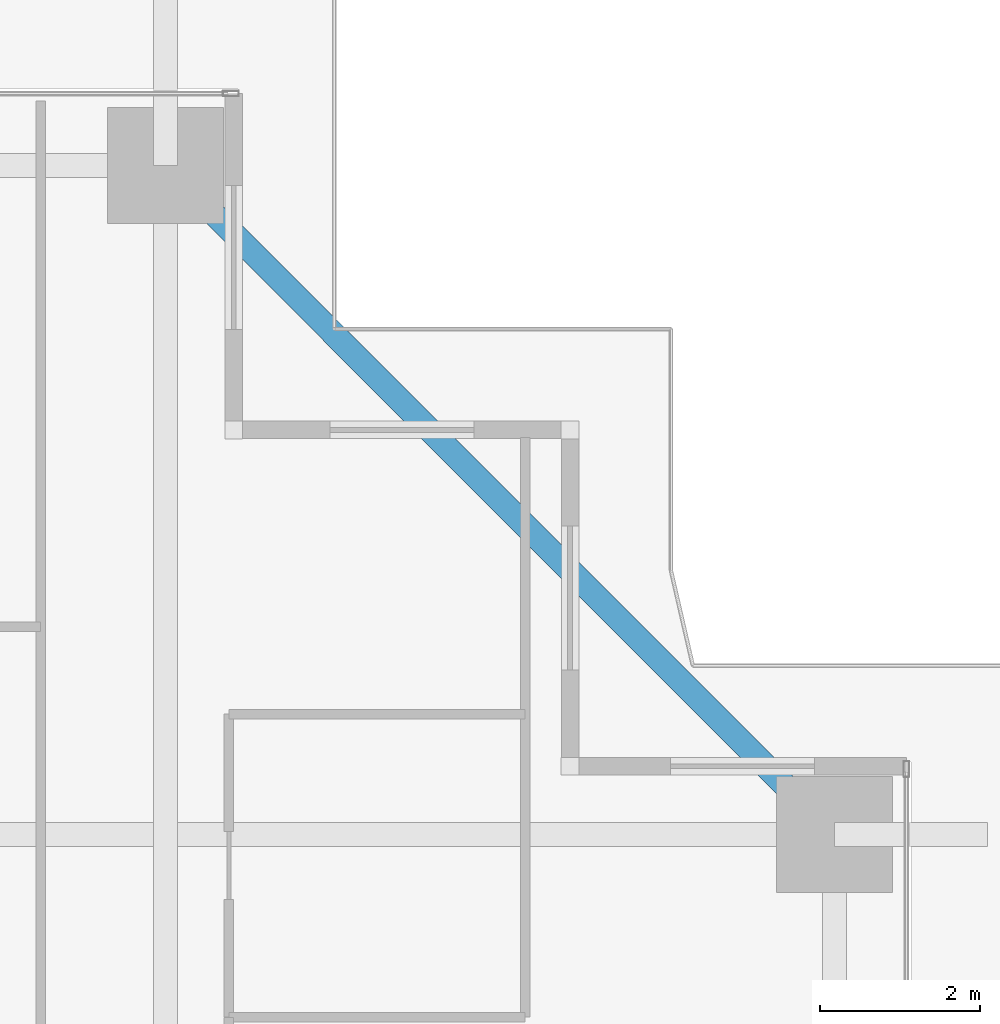
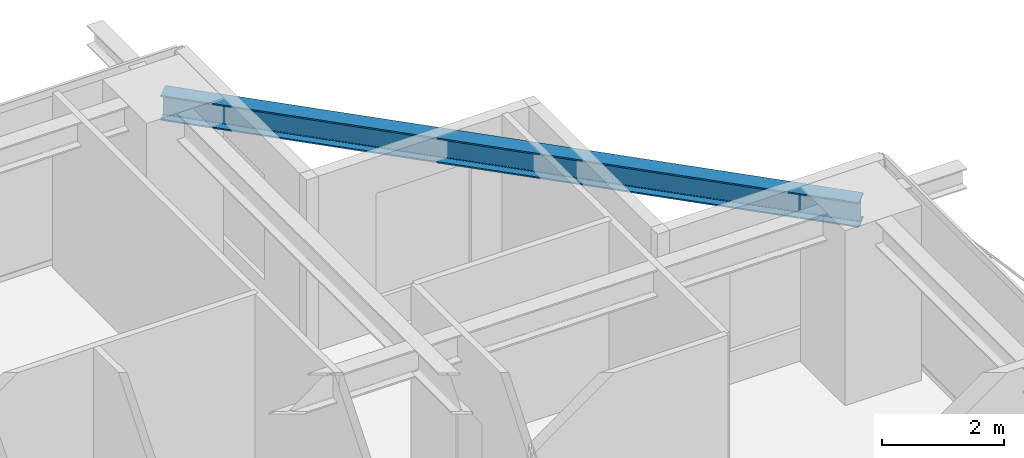
# One storey, part 24 of 38: 1 beam.
"""IFC4 building model written with IfcOpenShell, lengths in metres."""

from ifc_helpers import new_model, si_unit, direction, frame, origin, origin_2d, place, context, subcontext, project, spatial, i_section, extrude, source, transform, mapped, material, material_profile, profile_set, type_object, element, save


model = new_model("IFC4")

# Units and contexts
model_context = context("Model", 3, precision=1e-05, world=origin(), true_north=direction((0.0, 1.0)))
body_context = subcontext(model_context, "Body", "Model", "MODEL_VIEW")
ifc_project = project(units=[si_unit("LENGTHUNIT", "METRE"), si_unit("AREAUNIT", "SQUARE_METRE"), si_unit("VOLUMEUNIT", "CUBIC_METRE"), si_unit("PLANEANGLEUNIT", "RADIAN"), si_unit("MASSUNIT", "GRAM", prefix="KILO")], contexts=[model_context])

# Site, building, storey
site_placement = place(None, origin())
site = spatial("IfcSite", under=ifc_project, at=site_placement, CompositionType="ELEMENT")
building_placement = place(site_placement, origin())
building = spatial("IfcBuilding", under=site, at=building_placement, Name="Serunith Strait Residences", CompositionType="ELEMENT")
storey_placement = place(building_placement, frame((0.0, 0.0, 82.949951171875)))
storey = spatial("IfcBuildingStorey", under=building, at=storey_placement, Name="L20", CompositionType="ELEMENT", Elevation=82.949951171875)

# Beam
ifc_material = material(Name="Steel S355J2", Category="steel")
ifc_material_profile = material_profile(ifc_material, i_section(OverallWidth=0.300048828125, OverallDepth=0.5, WebThickness=0.014404296875, FlangeThickness=0.028076171875, FilletRadius=0.027099609375, at=origin_2d()), Name="HEB 500")
ifc_profile_set = profile_set([ifc_material_profile], Name="Steel S355J2")
beam_type = type_object("IfcBeamType", Name="BM-HEB500", PredefinedType="BEAM", material=ifc_profile_set)
shared_shape = source(origin(), body_context, "Body", "SweptSolid", [
    extrude(i_section(OverallWidth=0.300048828125, OverallDepth=0.5, WebThickness=0.014404296875, FlangeThickness=0.028076171875, FilletRadius=0.027099609375, at=origin_2d()), origin(), (0.0, 0.0, 1.0), 11.80859375),
])
beam_placement = place(storey_placement, frame((57.89990234375, 40.949951171875, 3.20703125), z_axis=(-0.707096443746, 0.707117118476, 0.0), x_axis=(-0.707117118476, -0.707096443746, 0.0)))
element("IfcBeam", 1, at=beam_placement, inside=storey, type_object=beam_type, Name="L20 Perimeter Ring Beam 08", PredefinedType="BEAM", context=body_context, shape_type="MappedRepresentation", body=[
    mapped(shared_shape, transform((0.0, 0.0, 0.0), scale=1.0)),
])

save(model, "model.ifc")
